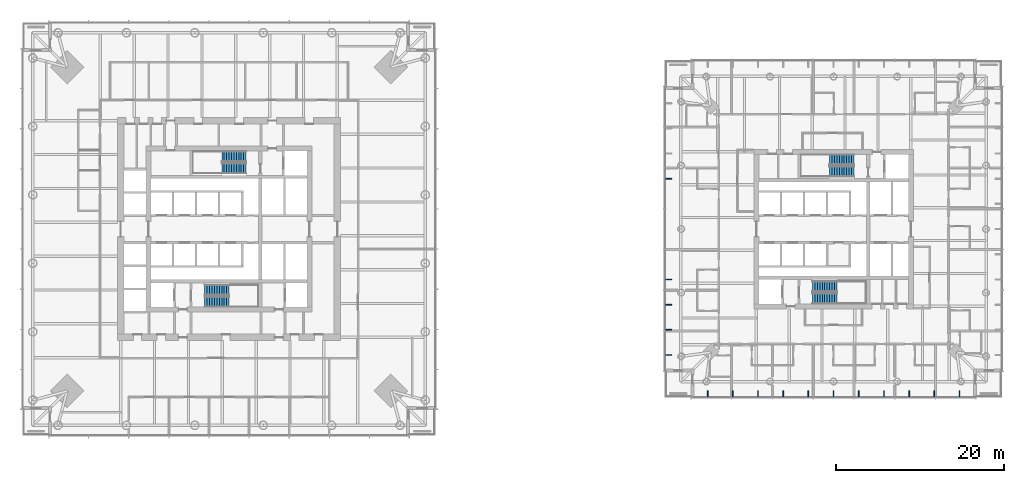
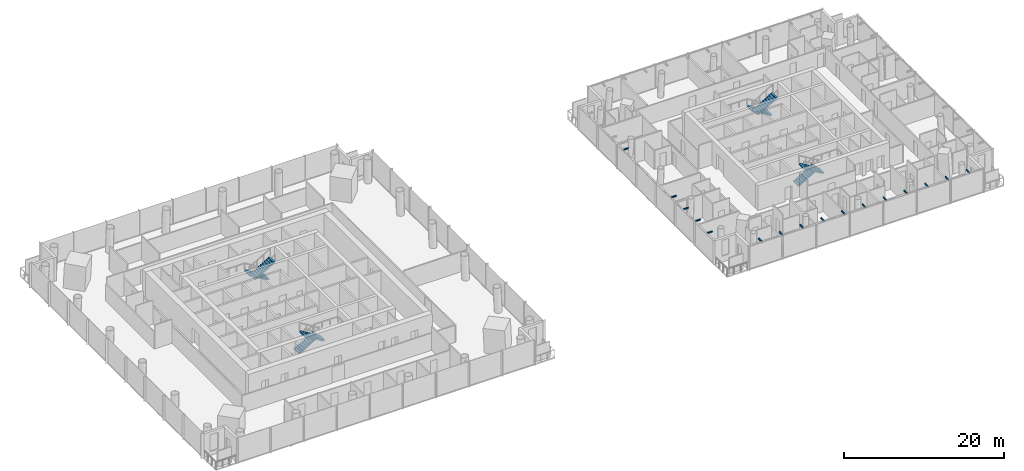
# One storey, part 19 of 22: 16 discrete accessories, 8 stair flights, 4 elements without a shape of their own.
"""IFC4 building model written with IfcOpenShell, lengths in metres."""

from ifc_helpers import new_model, si_unit, direction, frame, origin, origin_2d, place, context, subcontext, project, spatial, polyline, rectangle, outline, extrude, material, type_object, element, aggregate, save


model = new_model("IFC4")

# Units and contexts
model_context = context("Model", 3, precision=1e-05, world=origin(), true_north=direction((0.0, 1.0)))
body_context = subcontext(model_context, "Body", "Model", "MODEL_VIEW")
ifc_project = project(units=[si_unit("LENGTHUNIT", "METRE"), si_unit("AREAUNIT", "SQUARE_METRE"), si_unit("VOLUMEUNIT", "CUBIC_METRE"), si_unit("PLANEANGLEUNIT", "RADIAN"), si_unit("MASSUNIT", "GRAM", prefix="KILO")], contexts=[model_context])

# Site, building, storey
site_placement = place(None, origin())
site = spatial("IfcSite", under=ifc_project, at=site_placement, CompositionType="ELEMENT")
building_placement = place(site_placement, origin())
building = spatial("IfcBuilding", under=site, at=building_placement, Name="Ostroluk Exchange", CompositionType="ELEMENT")
storey_placement = place(building_placement, frame((0.0, 0.0, 40.0)))
storey = spatial("IfcBuildingStorey", under=building, at=storey_placement, Name="L09", CompositionType="ELEMENT", Elevation=40.0)

# Stair, stair flights
ifc_material_1 = material(Name="Concrete C30/37", Category="concrete")
stair_type = type_object("IfcStairType", Name="Exit stair half turn 3800", PredefinedType="HALF_TURN_STAIR", material=ifc_material_1)
stair_1_placement = place(storey_placement, origin())
stair_1 = element("IfcStair", 1, at=stair_1_placement, inside=storey, type_object=stair_type, Name="Stair T1-S1 L09", PredefinedType="HALF_TURN_STAIR")
ifc_material_2 = material(Name="Concrete C30/37", Category="concrete")
stair_flight_type = type_object("IfcStairFlightType", Name="Stair flight 11 risers 172.7 x 290", PredefinedType="STRAIGHT", material=ifc_material_2)
stair_flight_1_placement = place(storey_placement, frame((42.10009765625, 38.77490234375, 0.0), z_axis=(0.0, 0.0, 1.0), x_axis=(1.0, 0.0, 0.0)))
stair_flight_1 = element("IfcStairFlight", 2, at=stair_flight_1_placement, type_object=stair_flight_type, Name="T1-S1 flight 1", NumberOfRisers=11, NumberOfTreads=10, PredefinedType="STRAIGHT", RiserHeight=0.172727273, TreadLength=0.29, context=body_context, shape_type="SweptSolid", body=[
    extrude(outline(polyline([(0.0, 0.0), (0.0, 0.172607421875), (0.2900390625, 0.172607421875), (0.2900390625, 0.345458984375), (0.580078125, 0.345458984375), (0.580078125, 0.51806640625), (0.8701171875, 0.51806640625), (0.8701171875, 0.69091796875), (1.159912109375, 0.69091796875), (1.159912109375, 0.863525390625), (1.449951171875, 0.863525390625), (1.449951171875, 1.036376953125), (1.739990234375, 1.036376953125), (1.739990234375, 1.208984375), (2.030029296875, 1.208984375), (2.030029296875, 1.3818359375), (2.320068359375, 1.3818359375), (2.320068359375, 1.554443359375), (2.610107421875, 1.554443359375), (2.610107421875, 1.727294921875), (2.89990234375, 1.727294921875), (2.89990234375, 1.89990234375), (2.89990234375, 1.552734375), (0.29296875, 0.0), (0.0, 0.0)])), frame((0.0, 0.625, 0.0), z_axis=(0.0, -1.0, 0.0), x_axis=(1.0, 0.0, 0.0)), (0.0, 0.0, 1.0), 1.25),
])
stair_flight_2_placement = place(storey_placement, frame((45.0, 37.324951171875, 1.89990234375), z_axis=(0.0, 0.0, 1.0), x_axis=(-1.0, 0.0, 0.0)))
stair_flight_2 = element("IfcStairFlight", 3, at=stair_flight_2_placement, type_object=stair_flight_type, Name="T1-S1 flight 2", NumberOfRisers=11, NumberOfTreads=10, PredefinedType="STRAIGHT", RiserHeight=0.172727273, TreadLength=0.29, context=body_context, shape_type="SweptSolid", body=[
    extrude(outline(polyline([(0.0, 0.0), (0.0, 0.172607421875), (0.2900390625, 0.172607421875), (0.2900390625, 0.345458984375), (0.580078125, 0.345458984375), (0.580078125, 0.51806640625), (0.8701171875, 0.51806640625), (0.8701171875, 0.69091796875), (1.159912109375, 0.69091796875), (1.159912109375, 0.863525390625), (1.449951171875, 0.863525390625), (1.449951171875, 1.036376953125), (1.739990234375, 1.036376953125), (1.739990234375, 1.208984375), (2.030029296875, 1.208984375), (2.030029296875, 1.3818359375), (2.320068359375, 1.3818359375), (2.320068359375, 1.554443359375), (2.610107421875, 1.554443359375), (2.610107421875, 1.727294921875), (2.89990234375, 1.727294921875), (2.89990234375, 1.89990234375), (2.89990234375, 1.552734375), (0.29296875, 0.0), (0.0, 0.0)])), frame((0.0, 0.625, 0.0), z_axis=(0.0, -1.0, 0.0), x_axis=(1.0, 0.0, 0.0)), (0.0, 0.0, 1.0), 1.25),
])
aggregate(stair_1, [stair_flight_1, stair_flight_2])

stair_2_placement = place(storey_placement, origin())
stair_2 = element("IfcStair", 4, at=stair_2_placement, inside=storey, type_object=stair_type, Name="Stair T1-S2 L09", PredefinedType="HALF_TURN_STAIR")
stair_flight_3_placement = place(storey_placement, frame((47.030029296875, 54.675048828125, 0.0), z_axis=(0.0, 0.0, 1.0), x_axis=(-1.0, 0.0, 0.0)))
stair_flight_3 = element("IfcStairFlight", 5, at=stair_flight_3_placement, type_object=stair_flight_type, Name="T1-S2 flight 1", NumberOfRisers=11, NumberOfTreads=10, PredefinedType="STRAIGHT", RiserHeight=0.172727273, TreadLength=0.29, context=body_context, shape_type="SweptSolid", body=[
    extrude(outline(polyline([(0.0, 0.0), (0.0, 0.172607421875), (0.2900390625, 0.172607421875), (0.2900390625, 0.345458984375), (0.580078125, 0.345458984375), (0.580078125, 0.51806640625), (0.8701171875, 0.51806640625), (0.8701171875, 0.69091796875), (1.159912109375, 0.69091796875), (1.159912109375, 0.863525390625), (1.449951171875, 0.863525390625), (1.449951171875, 1.036376953125), (1.739990234375, 1.036376953125), (1.739990234375, 1.208984375), (2.030029296875, 1.208984375), (2.030029296875, 1.3818359375), (2.320068359375, 1.3818359375), (2.320068359375, 1.554443359375), (2.610107421875, 1.554443359375), (2.610107421875, 1.727294921875), (2.89990234375, 1.727294921875), (2.89990234375, 1.89990234375), (2.89990234375, 1.552734375), (0.29296875, 0.0), (0.0, 0.0)])), frame((0.0, 0.625, 0.0), z_axis=(0.0, -1.0, 0.0), x_axis=(1.0, 0.0, 0.0)), (0.0, 0.0, 1.0), 1.25),
])
stair_flight_4_placement = place(storey_placement, frame((44.1298828125, 53.22509765625, 1.89990234375), z_axis=(0.0, 0.0, 1.0), x_axis=(1.0, 0.0, 0.0)))
stair_flight_4 = element("IfcStairFlight", 6, at=stair_flight_4_placement, type_object=stair_flight_type, Name="T1-S2 flight 2", NumberOfRisers=11, NumberOfTreads=10, PredefinedType="STRAIGHT", RiserHeight=0.172727273, TreadLength=0.29, context=body_context, shape_type="SweptSolid", body=[
    extrude(outline(polyline([(0.0, 0.0), (0.0, 0.172607421875), (0.2900390625, 0.172607421875), (0.2900390625, 0.345458984375), (0.580078125, 0.345458984375), (0.580078125, 0.51806640625), (0.8701171875, 0.51806640625), (0.8701171875, 0.69091796875), (1.159912109375, 0.69091796875), (1.159912109375, 0.863525390625), (1.449951171875, 0.863525390625), (1.449951171875, 1.036376953125), (1.739990234375, 1.036376953125), (1.739990234375, 1.208984375), (2.030029296875, 1.208984375), (2.030029296875, 1.3818359375), (2.320068359375, 1.3818359375), (2.320068359375, 1.554443359375), (2.610107421875, 1.554443359375), (2.610107421875, 1.727294921875), (2.89990234375, 1.727294921875), (2.89990234375, 1.89990234375), (2.89990234375, 1.552734375), (0.29296875, 0.0), (0.0, 0.0)])), frame((0.0, 0.625, 0.0), z_axis=(0.0, -1.0, 0.0), x_axis=(1.0, 0.0, 0.0)), (0.0, 0.0, 1.0), 1.25),
])
aggregate(stair_2, [stair_flight_3, stair_flight_4])

stair_3_placement = place(storey_placement, origin())
stair_3 = element("IfcStair", 7, at=stair_3_placement, inside=storey, type_object=stair_type, Name="Stair T2-S1 L09", PredefinedType="HALF_TURN_STAIR")
stair_flight_5_placement = place(storey_placement, frame((114.5, 39.175048828125, 0.0), z_axis=(0.0, 0.0, 1.0), x_axis=(1.0, 0.0, 0.0)))
stair_flight_5 = element("IfcStairFlight", 8, at=stair_flight_5_placement, type_object=stair_flight_type, Name="T2-S1 flight 1", NumberOfRisers=11, NumberOfTreads=10, PredefinedType="STRAIGHT", RiserHeight=0.172727273, TreadLength=0.29, context=body_context, shape_type="SweptSolid", body=[
    extrude(outline(polyline([(0.0, 0.0), (0.0, 0.172607421875), (0.2900390625, 0.172607421875), (0.2900390625, 0.345458984375), (0.580078125, 0.345458984375), (0.580078125, 0.51806640625), (0.8701171875, 0.51806640625), (0.8701171875, 0.69091796875), (1.159912109375, 0.69091796875), (1.159912109375, 0.863525390625), (1.449951171875, 0.863525390625), (1.449951171875, 1.036376953125), (1.739990234375, 1.036376953125), (1.739990234375, 1.208984375), (2.030029296875, 1.208984375), (2.030029296875, 1.3818359375), (2.320068359375, 1.3818359375), (2.320068359375, 1.554443359375), (2.610107421875, 1.554443359375), (2.610107421875, 1.727294921875), (2.89990234375, 1.727294921875), (2.89990234375, 1.89990234375), (2.89990234375, 1.552734375), (0.29296875, 0.0), (0.0, 0.0)])), frame((0.0, 0.625, 0.0), z_axis=(0.0, -1.0, 0.0), x_axis=(1.0, 0.0, 0.0)), (0.0, 0.0, 1.0), 1.25),
])
stair_flight_6_placement = place(storey_placement, frame((117.39990234375, 37.72509765625, 1.89990234375), z_axis=(0.0, 0.0, 1.0), x_axis=(-1.0, 0.0, 0.0)))
stair_flight_6 = element("IfcStairFlight", 9, at=stair_flight_6_placement, type_object=stair_flight_type, Name="T2-S1 flight 2", NumberOfRisers=11, NumberOfTreads=10, PredefinedType="STRAIGHT", RiserHeight=0.172727273, TreadLength=0.29, context=body_context, shape_type="SweptSolid", body=[
    extrude(outline(polyline([(0.0, 0.0), (0.0, 0.172607421875), (0.2900390625, 0.172607421875), (0.2900390625, 0.345458984375), (0.580078125, 0.345458984375), (0.580078125, 0.51806640625), (0.8701171875, 0.51806640625), (0.8701171875, 0.69091796875), (1.159912109375, 0.69091796875), (1.159912109375, 0.863525390625), (1.449951171875, 0.863525390625), (1.449951171875, 1.036376953125), (1.739990234375, 1.036376953125), (1.739990234375, 1.208984375), (2.030029296875, 1.208984375), (2.030029296875, 1.3818359375), (2.320068359375, 1.3818359375), (2.320068359375, 1.554443359375), (2.610107421875, 1.554443359375), (2.610107421875, 1.727294921875), (2.89990234375, 1.727294921875), (2.89990234375, 1.89990234375), (2.89990234375, 1.552734375), (0.29296875, 0.0), (0.0, 0.0)])), frame((0.0, 0.625, 0.0), z_axis=(0.0, -1.0, 0.0), x_axis=(1.0, 0.0, 0.0)), (0.0, 0.0, 1.0), 1.25),
])
aggregate(stair_3, [stair_flight_5, stair_flight_6])

stair_4_placement = place(storey_placement, origin())
stair_4 = element("IfcStair", 10, at=stair_4_placement, inside=storey, type_object=stair_type, Name="Stair T2-S2 L09", PredefinedType="HALF_TURN_STAIR")
stair_flight_7_placement = place(storey_placement, frame((119.429931640625, 54.27490234375, 0.0), z_axis=(0.0, 0.0, 1.0), x_axis=(-1.0, 0.0, 0.0)))
stair_flight_7 = element("IfcStairFlight", 11, at=stair_flight_7_placement, type_object=stair_flight_type, Name="T2-S2 flight 1", NumberOfRisers=11, NumberOfTreads=10, PredefinedType="STRAIGHT", RiserHeight=0.172727273, TreadLength=0.29, context=body_context, shape_type="SweptSolid", body=[
    extrude(outline(polyline([(0.0, 0.0), (0.0, 0.172607421875), (0.2900390625, 0.172607421875), (0.2900390625, 0.345458984375), (0.580078125, 0.345458984375), (0.580078125, 0.51806640625), (0.8701171875, 0.51806640625), (0.8701171875, 0.69091796875), (1.159912109375, 0.69091796875), (1.159912109375, 0.863525390625), (1.449951171875, 0.863525390625), (1.449951171875, 1.036376953125), (1.739990234375, 1.036376953125), (1.739990234375, 1.208984375), (2.030029296875, 1.208984375), (2.030029296875, 1.3818359375), (2.320068359375, 1.3818359375), (2.320068359375, 1.554443359375), (2.610107421875, 1.554443359375), (2.610107421875, 1.727294921875), (2.89990234375, 1.727294921875), (2.89990234375, 1.89990234375), (2.89990234375, 1.552734375), (0.29296875, 0.0), (0.0, 0.0)])), frame((0.0, 0.625, 0.0), z_axis=(0.0, -1.0, 0.0), x_axis=(1.0, 0.0, 0.0)), (0.0, 0.0, 1.0), 1.25),
])
stair_flight_8_placement = place(storey_placement, frame((116.530029296875, 52.824951171875, 1.89990234375), z_axis=(0.0, 0.0, 1.0), x_axis=(1.0, 0.0, 0.0)))
stair_flight_8 = element("IfcStairFlight", 12, at=stair_flight_8_placement, type_object=stair_flight_type, Name="T2-S2 flight 2", NumberOfRisers=11, NumberOfTreads=10, PredefinedType="STRAIGHT", RiserHeight=0.172727273, TreadLength=0.29, context=body_context, shape_type="SweptSolid", body=[
    extrude(outline(polyline([(0.0, 0.0), (0.0, 0.172607421875), (0.2900390625, 0.172607421875), (0.2900390625, 0.345458984375), (0.580078125, 0.345458984375), (0.580078125, 0.51806640625), (0.8701171875, 0.51806640625), (0.8701171875, 0.69091796875), (1.159912109375, 0.69091796875), (1.159912109375, 0.863525390625), (1.449951171875, 0.863525390625), (1.449951171875, 1.036376953125), (1.739990234375, 1.036376953125), (1.739990234375, 1.208984375), (2.030029296875, 1.208984375), (2.030029296875, 1.3818359375), (2.320068359375, 1.3818359375), (2.320068359375, 1.554443359375), (2.610107421875, 1.554443359375), (2.610107421875, 1.727294921875), (2.89990234375, 1.727294921875), (2.89990234375, 1.89990234375), (2.89990234375, 1.552734375), (0.29296875, 0.0), (0.0, 0.0)])), frame((0.0, 0.625, 0.0), z_axis=(0.0, -1.0, 0.0), x_axis=(1.0, 0.0, 0.0)), (0.0, 0.0, 1.0), 1.25),
])
aggregate(stair_4, [stair_flight_7, stair_flight_8])

# Discrete accessories
ifc_material_3 = material(Name="Steel S355", Category="steel")
discrete_accessory_type = type_object("IfcDiscreteAccessoryType", Name="Maintenance roof bracket", PredefinedType="BRACKET", material=ifc_material_3)
for number, where, z_axis, x_axis, name in (
    (13, (102.0, 26.375, 3.4501953125), (0.0, 0.0, 1.0), (1.0, 0.0, 0.0), "Maintenance roof bracket L10 south 1"),
    (14, (105.0, 26.375, 3.4501953125), (0.0, 0.0, 1.0), (1.0, 0.0, 0.0), "Maintenance roof bracket L10 south 2"),
    (15, (108.0, 26.375, 3.4501953125), (0.0, 0.0, 1.0), (1.0, 0.0, 0.0), "Maintenance roof bracket L10 south 3"),
    (16, (111.0, 26.375, 3.4501953125), (0.0, 0.0, 1.0), (1.0, 0.0, 0.0), "Maintenance roof bracket L10 south 4"),
    (17, (114.0, 26.375, 3.4501953125), (0.0, 0.0, 1.0), (1.0, 0.0, 0.0), "Maintenance roof bracket L10 south 5"),
    (18, (117.0, 26.375, 3.4501953125), (0.0, 0.0, 1.0), (1.0, 0.0, 0.0), "Maintenance roof bracket L10 south 6"),
    (19, (120.0, 26.375, 3.4501953125), (0.0, 0.0, 1.0), (1.0, 0.0, 0.0), "Maintenance roof bracket L10 south 7"),
    (20, (123.0, 26.375, 3.4501953125), (0.0, 0.0, 1.0), (1.0, 0.0, 0.0), "Maintenance roof bracket L10 south 8"),
    (21, (126.0, 26.375, 3.4501953125), (0.0, 0.0, 1.0), (1.0, 0.0, 0.0), "Maintenance roof bracket L10 south 9"),
    (22, (129.0, 26.375, 3.4501953125), (0.0, 0.0, 1.0), (1.0, 0.0, 0.0), "Maintenance roof bracket L10 south 10"),
    (23, (132.0, 26.375, 3.4501953125), (0.0, 0.0, 1.0), (1.0, 0.0, 0.0), "Maintenance roof bracket L10 south 11"),
):
    element("IfcDiscreteAccessory", number, at=place(storey_placement, frame(where, z_axis=z_axis, x_axis=x_axis)), inside=storey, type_object=discrete_accessory_type, Name=name, PredefinedType="BRACKET", context=body_context, shape_type="SweptSolid", body=[
        extrude(rectangle(XDim=0.10009765625, YDim=0.75, at=origin_2d()), origin(), (0.0, 0.0, 1.0), 0.199951171875),
    ])
for number, where, z_axis, x_axis, name in (
    (24, (97.375, 31.0, 3.4501953125), (0.0, 0.0, 1.0), (1.0, 0.0, 0.0), "Maintenance roof bracket L10 west 1"),
    (25, (97.375, 34.0, 3.4501953125), (0.0, 0.0, 1.0), (1.0, 0.0, 0.0), "Maintenance roof bracket L10 west 2"),
    (26, (97.375, 37.0, 3.4501953125), (0.0, 0.0, 1.0), (1.0, 0.0, 0.0), "Maintenance roof bracket L10 west 3"),
    (27, (97.375, 40.0, 3.4501953125), (0.0, 0.0, 1.0), (1.0, 0.0, 0.0), "Maintenance roof bracket L10 west 4"),
    (28, (97.375, 52.0, 3.4501953125), (0.0, 0.0, 1.0), (1.0, 0.0, 0.0), "Maintenance roof bracket L10 west 8"),
):
    element("IfcDiscreteAccessory", number, at=place(storey_placement, frame(where, z_axis=z_axis, x_axis=x_axis)), inside=storey, type_object=discrete_accessory_type, Name=name, PredefinedType="BRACKET", context=body_context, shape_type="SweptSolid", body=[
        extrude(rectangle(XDim=0.75, YDim=0.10009765625, at=origin_2d()), origin(), (0.0, 0.0, 1.0), 0.199951171875),
    ])

save(model, "model.ifc")
